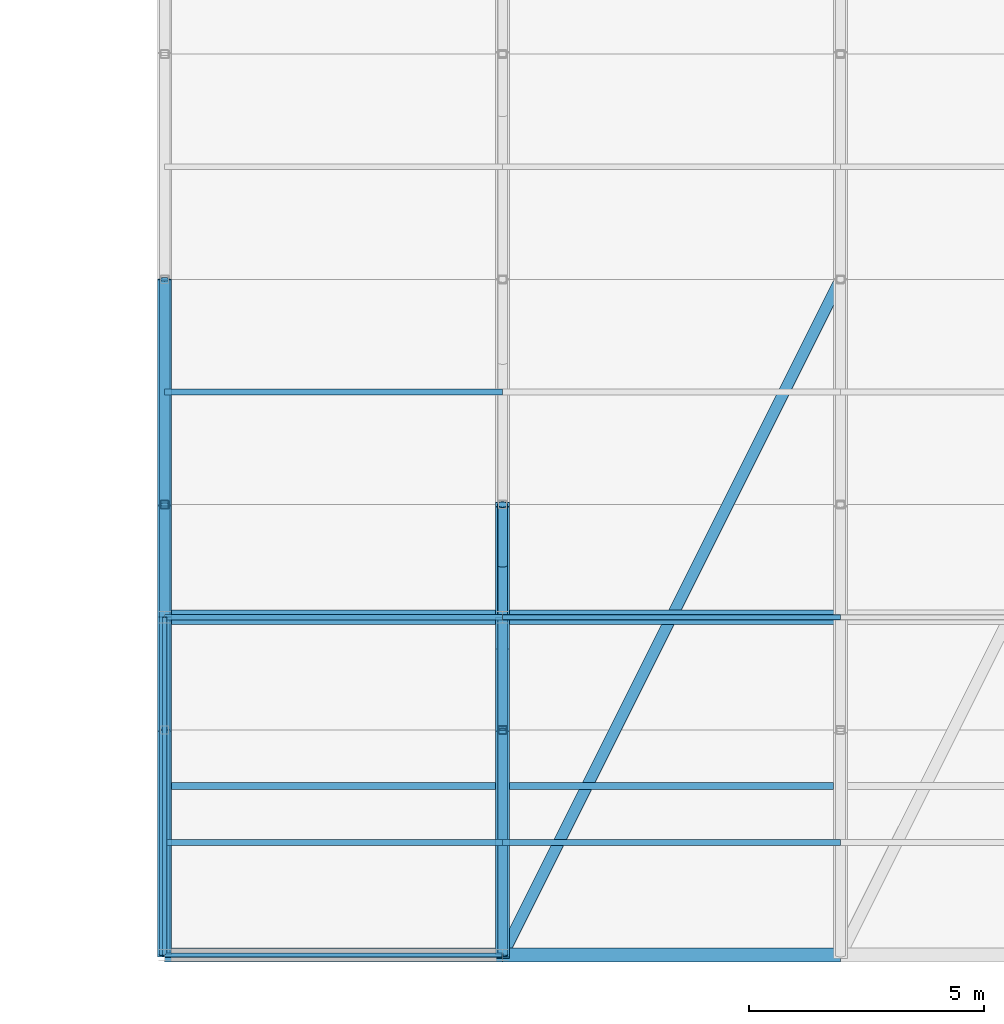
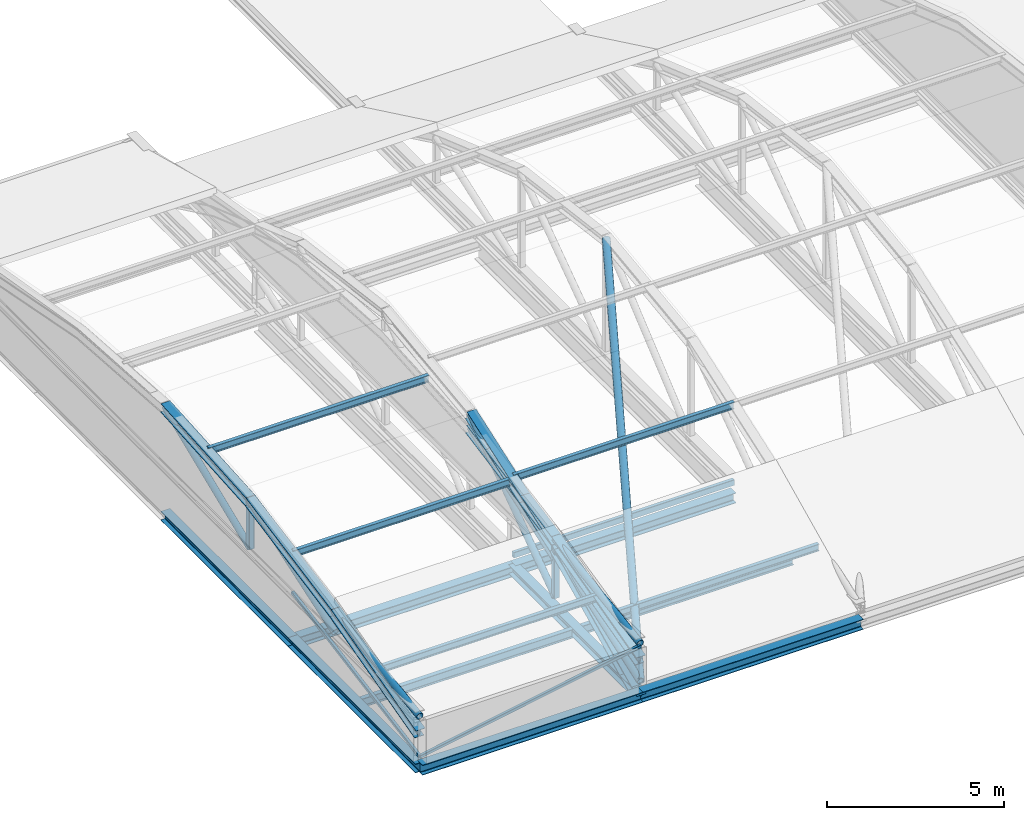
# One storey, part 13 of 103: 20 members, 14 beams.
"""IFC4 building model written with IfcOpenShell, lengths in metres."""

from ifc_helpers import new_model, si_unit, direction, frame, origin, origin_2d, place, context, subcontext, project, spatial, hollow_rectangle, hollow_circle, i_section, extrude, material, material_profile, profile_set, type_object, element, save


model = new_model("IFC4")

# Units and contexts
model_context = context("Model", 3, precision=1e-05, world=origin(), true_north=direction((0.0, 1.0)))
body_context = subcontext(model_context, "Body", "Model", "MODEL_VIEW")
ifc_project = project(units=[si_unit("LENGTHUNIT", "METRE"), si_unit("AREAUNIT", "SQUARE_METRE"), si_unit("VOLUMEUNIT", "CUBIC_METRE"), si_unit("PLANEANGLEUNIT", "RADIAN"), si_unit("MASSUNIT", "GRAM", prefix="KILO")], contexts=[model_context])

# Site, building, storey
site_placement = place(None, origin())
site = spatial("IfcSite", under=ifc_project, at=site_placement, CompositionType="ELEMENT")
building_placement = place(site_placement, origin())
building = spatial("IfcBuilding", under=site, at=building_placement, Name="Zlatovets Crest Museum", CompositionType="ELEMENT")
storey_placement = place(building_placement, frame((0.0, 0.0, 12.89990234375)))
storey = spatial("IfcBuildingStorey", under=building, at=storey_placement, Name="L03", CompositionType="ELEMENT", Elevation=12.89990234375)

# Beams
ifc_material = material(Name="Structural steel S355J2", Category="steel")
ifc_material_profile_1 = material_profile(ifc_material, i_section(OverallWidth=0.300048828125, OverallDepth=0.35009765625, WebThickness=0.010009765625, FlangeThickness=0.017578125, FilletRadius=0.027099609375, at=origin_2d()), Name="HEA 360")
ifc_profile_set_1 = profile_set([ifc_material_profile_1], Name="Structural steel S355J2")
beam_type_1 = type_object("IfcBeamType", Name="Beam_B-03", PredefinedType="BEAM", material=ifc_profile_set_1)
for number, where, z_axis, x_axis, name in (
    (1, (0.0, 0.0, -0.39501953125), (1.0, 0.0, 0.0), (0.0, 1.0, 0.0), "V3 L03 Primary Girder B-03"),
    (2, (7.199951171875, 0.0, -0.39501953125), (1.0, 0.0, 0.0), (0.0, 1.0, 0.0), "V3 L03 Primary Girder B-03"),
    (3, (0.0, 7.199951171875, -0.39501953125), (1.0, 0.0, 0.0), (0.0, 1.0, 0.0), "V3 L03 Primary Girder B-03"),
    (4, (7.199951171875, 7.199951171875, -0.39501953125), (1.0, 0.0, 0.0), (0.0, 1.0, 0.0), "V3 L03 Primary Girder B-03"),
):
    element("IfcBeam", number, at=place(storey_placement, frame(where, z_axis=z_axis, x_axis=x_axis)), inside=storey, type_object=beam_type_1, Name=name, PredefinedType="BEAM", context=body_context, shape_type="SweptSolid", body=[
        extrude(i_section(OverallWidth=0.300048828125, OverallDepth=0.35009765625, WebThickness=0.010009765625, FlangeThickness=0.017578125, FilletRadius=0.027099609375, at=origin_2d()), origin(), (0.0, 0.0, 1.0), 7.199951171875),
    ])
ifc_material_profile_2 = material_profile(ifc_material, i_section(OverallWidth=0.300048828125, OverallDepth=0.31005859375, WebThickness=0.009033203125, FlangeThickness=0.015380859375, FilletRadius=0.027099609375, at=origin_2d()), Name="HEA 320")
ifc_profile_set_2 = profile_set([ifc_material_profile_2], Name="Structural steel S355J2")
beam_type_2 = type_object("IfcBeamType", Name="Beam_B-04", PredefinedType="BEAM", material=ifc_profile_set_2)
for number, where, z_axis, x_axis, name in (
    (5, (0.0, 0.0, -0.375), (0.0, 1.0, 0.0), (-1.0, 0.0, 0.0), "V3 L03 Grid Beam B-04"),
    (6, (0.0, 7.199951171875, -0.375), (0.0, 1.0, 0.0), (-1.0, 0.0, 0.0), "V3 L03 Grid Beam B-04"),
    (7, (7.199951171875, 0.0, -0.375), (0.0, 1.0, 0.0), (-1.0, 0.0, 0.0), "V3 L03 Grid Beam B-04"),
):
    element("IfcBeam", number, at=place(storey_placement, frame(where, z_axis=z_axis, x_axis=x_axis)), inside=storey, type_object=beam_type_2, Name=name, PredefinedType="BEAM", context=body_context, shape_type="SweptSolid", body=[
        extrude(i_section(OverallWidth=0.300048828125, OverallDepth=0.31005859375, WebThickness=0.009033203125, FlangeThickness=0.015380859375, FilletRadius=0.027099609375, at=origin_2d()), origin(), (0.0, 0.0, 1.0), 7.199951171875),
    ])
ifc_material_profile_3 = material_profile(ifc_material, i_section(OverallWidth=0.14990234375, OverallDepth=0.300048828125, WebThickness=0.007080078125, FlangeThickness=0.0107421875, FilletRadius=0.014892578125, at=origin_2d()), Name="IPE 300")
ifc_profile_set_3 = profile_set([ifc_material_profile_3], Name="Structural steel S355J2")
beam_type_3 = type_object("IfcBeamType", Name="Beam_J-02", PredefinedType="JOIST", material=ifc_profile_set_3)
beam_1_placement = place(storey_placement, frame((0.14990234375, 3.60009765625, -0.369873046875), z_axis=(1.0, 0.0, 0.0), x_axis=(0.0, 1.0, 0.0)))
element("IfcBeam", 8, at=beam_1_placement, inside=storey, type_object=beam_type_3, Name="V3 L03 Composite Joist J-02", PredefinedType="JOIST", context=body_context, shape_type="SweptSolid", body=[
    extrude(i_section(OverallWidth=0.14990234375, OverallDepth=0.300048828125, WebThickness=0.007080078125, FlangeThickness=0.0107421875, FilletRadius=0.014892578125, at=origin_2d()), origin(), (0.0, 0.0, 1.0), 6.900146484375),
])
beam_2_placement = place(storey_placement, frame((7.35009765625, 3.60009765625, -0.369873046875), z_axis=(1.0, 0.0, 0.0), x_axis=(0.0, 1.0, 0.0)))
element("IfcBeam", 9, at=beam_2_placement, inside=storey, type_object=beam_type_3, Name="V3 L03 Composite Joist J-02", PredefinedType="JOIST", context=body_context, shape_type="SweptSolid", body=[
    extrude(i_section(OverallWidth=0.14990234375, OverallDepth=0.300048828125, WebThickness=0.007080078125, FlangeThickness=0.0107421875, FilletRadius=0.014892578125, at=origin_2d()), origin(), (0.0, 0.0, 1.0), 6.89990234375),
])
ifc_material_profile_4 = material_profile(ifc_material, i_section(OverallWidth=0.1201171875, OverallDepth=0.239990234375, WebThickness=0.006103515625, FlangeThickness=0.009765625, FilletRadius=0.014892578125, at=origin_2d()), Name="IPE 240")
ifc_profile_set_4 = profile_set([ifc_material_profile_4], Name="Structural steel S355J2")
beam_type_4 = type_object("IfcBeamType", Name="Beam_PR-01", PredefinedType="BEAM", material=ifc_profile_set_4)
for number, where, z_axis, x_axis, name in (
    (10, (7.199951171875, 2.39990234375, 0.75), (1.0, 0.0, 0.0), (0.0, 1.0, 0.0), "V3 Barrel Vault Longitudinal Purlin"),
    (11, (7.199951171875, 7.199951171875, 2.741943359375), (1.0, 0.0, 0.0), (0.0, 1.0, 0.0), "V3 Barrel Vault Longitudinal Purlin"),
    (12, (0.0, 2.39990234375, 1.53759765625), (1.0, 0.0, 0.0), (0.0, 1.0, 0.0), "V3 Barrel Vault Longitudinal Purlin"),
    (13, (0.0, 7.199951171875, 2.641845703125), (1.0, 0.0, 0.0), (0.0, 1.0, 0.0), "V3 Barrel Vault Longitudinal Purlin"),
    (14, (0.0, 12.0, 3.279296875), (1.0, 0.0, 0.0), (0.0, 1.0, 0.0), "V3 Barrel Vault Longitudinal Purlin"),
):
    element("IfcBeam", number, at=place(storey_placement, frame(where, z_axis=z_axis, x_axis=x_axis)), inside=storey, type_object=beam_type_4, Name=name, PredefinedType="BEAM", context=body_context, shape_type="SweptSolid", body=[
        extrude(i_section(OverallWidth=0.1201171875, OverallDepth=0.239990234375, WebThickness=0.006103515625, FlangeThickness=0.009765625, FilletRadius=0.014892578125, at=origin_2d()), origin(), (0.0, 0.0, 1.0), 7.199951171875),
    ])

# Members
ifc_material_profile_5 = material_profile(ifc_material, hollow_rectangle(XDim=0.10009765625, YDim=0.10009765625, WallThickness=0.00634765625, InnerFilletRadius=0.00634765625, OuterFilletRadius=0.0126953125, at=origin_2d()), Name="SHS 100x100x6.3")
ifc_profile_set_5 = profile_set([ifc_material_profile_5], Name="Structural steel S355J2")
member_type_1 = type_object("IfcMemberType", Name="Member_BR-06", PredefinedType="BRACE", material=ifc_profile_set_5)
for number, where, z_axis, x_axis, name in (
    (15, (0.0, 0.0, 0.0), (0.98408648342, 0.0, 0.177690160531), (0.0, 1.0, 0.0), "Auditorium Stage Fly-Loft Wind Brace"),
    (16, (0.0, 0.0, 0.0), (0.0, 0.98408648342, 0.177690160531), (-1.0, 0.0, 0.0), "Auditorium Stage Fly-Loft Wind Brace"),
):
    element("IfcMember", number, at=place(storey_placement, frame(where, z_axis=z_axis, x_axis=x_axis)), inside=storey, type_object=member_type_1, Name=name, PredefinedType="BRACE", context=body_context, shape_type="SweptSolid", body=[
        extrude(hollow_rectangle(XDim=0.10009765625, YDim=0.10009765625, WallThickness=0.00634765625, InnerFilletRadius=0.00634765625, OuterFilletRadius=0.0126953125, at=origin_2d()), origin(), (0.0, 0.0, 1.0), 7.31640625),
    ])
ifc_material_profile_6 = material_profile(ifc_material, i_section(OverallWidth=0.300048828125, OverallDepth=0.31005859375, WebThickness=0.009033203125, FlangeThickness=0.015380859375, FilletRadius=0.027099609375, at=origin_2d()), Name="HEA 320")
ifc_profile_set_6 = profile_set([ifc_material_profile_6], Name="Structural steel S355J2")
member_type_2 = type_object("IfcMemberType", Name="Member_TM-02", PredefinedType="RAFTER", material=ifc_profile_set_6)
member_1_placement = place(storey_placement, frame((7.199951171875, 0.0, -0.5), z_axis=(0.0, 0.901814166789, 0.432124066188), x_axis=(-1.0, 0.0, 0.0)))
element("IfcMember", 17, at=member_1_placement, inside=storey, type_object=member_type_2, Name="V3 Art Nouveau Curved Vault Rib", PredefinedType="RAFTER", context=body_context, shape_type="SweptSolid", body=[
    extrude(i_section(OverallWidth=0.300048828125, OverallDepth=0.31005859375, WebThickness=0.009033203125, FlangeThickness=0.015380859375, FilletRadius=0.027099609375, at=origin_2d()), origin(), (0.0, 0.0, 1.0), 5.32275390625),
])
member_2_placement = place(storey_placement, frame((7.199951171875, 4.800048828125, 1.800048828125), z_axis=(0.0, 0.943623917832, 0.331019488393), x_axis=(-1.0, 0.0, 0.0)))
element("IfcMember", 18, at=member_2_placement, inside=storey, type_object=member_type_2, Name="V3 Art Nouveau Curved Vault Rib", PredefinedType="RAFTER", context=body_context, shape_type="SweptSolid", body=[
    extrude(i_section(OverallWidth=0.300048828125, OverallDepth=0.31005859375, WebThickness=0.009033203125, FlangeThickness=0.015380859375, FilletRadius=0.027099609375, at=origin_2d()), origin(), (0.0, 0.0, 1.0), 5.0869140625),
])
member_3_placement = place(storey_placement, frame((0.0, 0.0, 0.800048828125), z_axis=(0.0, 0.966478456476, 0.25674772281), x_axis=(-1.0, 0.0, 0.0)))
element("IfcMember", 19, at=member_3_placement, inside=storey, type_object=member_type_2, Name="V3 Art Nouveau Curved Vault Rib", PredefinedType="RAFTER", context=body_context, shape_type="SweptSolid", body=[
    extrude(i_section(OverallWidth=0.300048828125, OverallDepth=0.31005859375, WebThickness=0.009033203125, FlangeThickness=0.015380859375, FilletRadius=0.027099609375, at=origin_2d()), origin(), (0.0, 0.0, 1.0), 4.966552734375),
])
member_4_placement = place(storey_placement, frame((0.0, 4.800048828125, 2.0751953125), z_axis=(0.0, 0.981615129824, 0.190870995439), x_axis=(-1.0, 0.0, 0.0)))
element("IfcMember", 20, at=member_4_placement, inside=storey, type_object=member_type_2, Name="V3 Art Nouveau Curved Vault Rib", PredefinedType="RAFTER", context=body_context, shape_type="SweptSolid", body=[
    extrude(i_section(OverallWidth=0.300048828125, OverallDepth=0.31005859375, WebThickness=0.009033203125, FlangeThickness=0.015380859375, FilletRadius=0.027099609375, at=origin_2d()), origin(), (0.0, 0.0, 1.0), 4.889892578125),
])
member_5_placement = place(storey_placement, frame((0.0, 9.60009765625, 3.008544921875), z_axis=(0.0, 0.997477722489, 0.070980230608), x_axis=(-1.0, 0.0, 0.0)))
element("IfcMember", 21, at=member_5_placement, inside=storey, type_object=member_type_2, Name="V3 Art Nouveau Curved Vault Rib", PredefinedType="RAFTER", context=body_context, shape_type="SweptSolid", body=[
    extrude(i_section(OverallWidth=0.300048828125, OverallDepth=0.31005859375, WebThickness=0.009033203125, FlangeThickness=0.015380859375, FilletRadius=0.027099609375, at=origin_2d()), origin(), (0.0, 0.0, 1.0), 4.81201171875),
])
member_6_placement = place(storey_placement, frame((7.199951171875, 0.0, 0.800048828125), z_axis=(0.0, 0.966478456476, 0.25674772281), x_axis=(-1.0, 0.0, 0.0)))
element("IfcMember", 22, at=member_6_placement, inside=storey, type_object=member_type_2, Name="V3 Art Nouveau Curved Vault Rib", PredefinedType="RAFTER", context=body_context, shape_type="SweptSolid", body=[
    extrude(i_section(OverallWidth=0.300048828125, OverallDepth=0.31005859375, WebThickness=0.009033203125, FlangeThickness=0.015380859375, FilletRadius=0.027099609375, at=origin_2d()), origin(), (0.0, 0.0, 1.0), 4.966552734375),
])
member_7_placement = place(storey_placement, frame((7.199951171875, 4.800048828125, 2.0751953125), z_axis=(0.0, 0.981615129824, 0.190870995439), x_axis=(-1.0, 0.0, 0.0)))
element("IfcMember", 23, at=member_7_placement, inside=storey, type_object=member_type_2, Name="V3 Art Nouveau Curved Vault Rib", PredefinedType="RAFTER", context=body_context, shape_type="SweptSolid", body=[
    extrude(i_section(OverallWidth=0.300048828125, OverallDepth=0.31005859375, WebThickness=0.009033203125, FlangeThickness=0.015380859375, FilletRadius=0.027099609375, at=origin_2d()), origin(), (0.0, 0.0, 1.0), 4.889892578125),
])
ifc_material_profile_7 = material_profile(ifc_material, hollow_rectangle(XDim=0.179931640625, YDim=0.179931640625, WallThickness=0.010009765625, InnerFilletRadius=0.010009765625, OuterFilletRadius=0.02001953125, at=origin_2d()), Name="SHS 180x180x10.0")
ifc_profile_set_7 = profile_set([ifc_material_profile_7], Name="Structural steel S355J2")
member_type_3 = type_object("IfcMemberType", Name="Member_TM-04", PredefinedType="STRUT", material=ifc_profile_set_7)
member_8_placement = place(storey_placement, frame((7.199951171875, 4.800048828125, 0.080078125), z_axis=(0.0, 0.0, 1.0), x_axis=(1.0, 0.0, 0.0)))
element("IfcMember", 24, at=member_8_placement, inside=storey, type_object=member_type_3, Name="V3 Barrel Vault Web Strut", PredefinedType="STRUT", context=body_context, shape_type="SweptSolid", body=[
    extrude(hollow_rectangle(XDim=0.179931640625, YDim=0.179931640625, WallThickness=0.010009765625, InnerFilletRadius=0.010009765625, OuterFilletRadius=0.02001953125, at=origin_2d()), origin(), (0.0, 0.0, 1.0), 1.719970703125),
])
member_9_placement = place(storey_placement, frame((0.0, 9.60009765625, 1.380126953125), z_axis=(0.0, 0.0, 1.0), x_axis=(1.0, 0.0, 0.0)))
element("IfcMember", 25, at=member_9_placement, inside=storey, type_object=member_type_3, Name="V3 Barrel Vault Web Strut", PredefinedType="STRUT", context=body_context, shape_type="SweptSolid", body=[
    extrude(hollow_rectangle(XDim=0.179931640625, YDim=0.179931640625, WallThickness=0.010009765625, InnerFilletRadius=0.010009765625, OuterFilletRadius=0.02001953125, at=origin_2d()), origin(), (0.0, 0.0, 1.0), 1.62841796875),
])
ifc_material_profile_8 = material_profile(ifc_material, hollow_circle(Radius=0.109619140625, WallThickness=0.010009765625, at=origin_2d()), Name="CHS 219.1x10.0")
ifc_profile_set_8 = profile_set([ifc_material_profile_8], Name="Structural steel S355J2")
member_type_4 = type_object("IfcMemberType", Name="Member_TM-05", PredefinedType="BRACE", material=ifc_profile_set_8)
member_10_placement = place(storey_placement, frame((7.199951171875, 0.0, 0.080078125), z_axis=(0.0, 0.941389329103, 0.337321999061), x_axis=(-1.0, 0.0, 0.0)))
element("IfcMember", 26, at=member_10_placement, inside=storey, type_object=member_type_4, Name="V3 Barrel Vault Web Diagonal", PredefinedType="BRACE", context=body_context, shape_type="SweptSolid", body=[
    extrude(hollow_circle(Radius=0.109619140625, WallThickness=0.010009765625, at=origin_2d()), origin(), (0.0, 0.0, 1.0), 5.098876953125),
])
member_11_placement = place(storey_placement, frame((7.199951171875, 4.800048828125, 0.080078125), z_axis=(0.0, 0.815721856917, 0.578444337986), x_axis=(-1.0, 0.0, 0.0)))
element("IfcMember", 27, at=member_11_placement, inside=storey, type_object=member_type_4, Name="V3 Barrel Vault Web Diagonal", PredefinedType="BRACE", context=body_context, shape_type="SweptSolid", body=[
    extrude(hollow_circle(Radius=0.109619140625, WallThickness=0.010009765625, at=origin_2d()), origin(), (0.0, 0.0, 1.0), 5.884521484375),
])
member_12_placement = place(storey_placement, frame((0.0, 0.0, 1.380126953125), z_axis=(0.0, 0.989677885156, 0.143309747166), x_axis=(-1.0, 0.0, 0.0)))
element("IfcMember", 28, at=member_12_placement, inside=storey, type_object=member_type_4, Name="V3 Barrel Vault Web Diagonal", PredefinedType="BRACE", context=body_context, shape_type="SweptSolid", body=[
    extrude(hollow_circle(Radius=0.109619140625, WallThickness=0.010009765625, at=origin_2d()), origin(), (0.0, 0.0, 1.0), 4.85009765625),
])
member_13_placement = place(storey_placement, frame((0.0, 4.800048828125, 1.380126953125), z_axis=(0.0, 0.946988905985, 0.321266263309), x_axis=(-1.0, 0.0, 0.0)))
element("IfcMember", 29, at=member_13_placement, inside=storey, type_object=member_type_4, Name="V3 Barrel Vault Web Diagonal", PredefinedType="BRACE", context=body_context, shape_type="SweptSolid", body=[
    extrude(hollow_circle(Radius=0.109619140625, WallThickness=0.010009765625, at=origin_2d()), origin(), (0.0, 0.0, 1.0), 5.06884765625),
])
member_14_placement = place(storey_placement, frame((0.0, 9.60009765625, 1.380126953125), z_axis=(0.0, 0.925113105648, 0.37969164036), x_axis=(-1.0, 0.0, 0.0)))
element("IfcMember", 30, at=member_14_placement, inside=storey, type_object=member_type_4, Name="V3 Barrel Vault Web Diagonal", PredefinedType="BRACE", context=body_context, shape_type="SweptSolid", body=[
    extrude(hollow_circle(Radius=0.109619140625, WallThickness=0.010009765625, at=origin_2d()), origin(), (0.0, 0.0, 1.0), 5.188232421875),
])
member_15_placement = place(storey_placement, frame((7.199951171875, 0.0, 1.380126953125), z_axis=(0.0, 0.989677885156, 0.143309747166), x_axis=(-1.0, 0.0, 0.0)))
element("IfcMember", 31, at=member_15_placement, inside=storey, type_object=member_type_4, Name="V3 Barrel Vault Web Diagonal", PredefinedType="BRACE", context=body_context, shape_type="SweptSolid", body=[
    extrude(hollow_circle(Radius=0.109619140625, WallThickness=0.010009765625, at=origin_2d()), origin(), (0.0, 0.0, 1.0), 4.85009765625),
])
member_16_placement = place(storey_placement, frame((7.199951171875, 4.800048828125, 1.380126953125), z_axis=(0.0, 0.946988905985, 0.321266263309), x_axis=(-1.0, 0.0, 0.0)))
element("IfcMember", 32, at=member_16_placement, inside=storey, type_object=member_type_4, Name="V3 Barrel Vault Web Diagonal", PredefinedType="BRACE", context=body_context, shape_type="SweptSolid", body=[
    extrude(hollow_circle(Radius=0.109619140625, WallThickness=0.010009765625, at=origin_2d()), origin(), (0.0, 0.0, 1.0), 5.06884765625),
])
ifc_material_profile_9 = material_profile(ifc_material, hollow_circle(Radius=0.122314453125, WallThickness=0.012451171875, at=origin_2d()), Name="CHS 244.5x12.5")
ifc_profile_set_9 = profile_set([ifc_material_profile_9], Name="Structural steel S355J2")
member_type_5 = type_object("IfcMemberType", Name="Member_TM-09", PredefinedType="BRACE", material=ifc_profile_set_9)
member_17_placement = place(storey_placement, frame((7.199951171875, 0.0, 0.080078125), z_axis=(0.433891815203, 0.867783630406, 0.24225908342), x_axis=(-0.894427191, 0.4472135955, 0.0)))
element("IfcMember", 33, at=member_17_placement, inside=storey, type_object=member_type_5, Name="Auditorium Vault Roof Plan Brace", PredefinedType="BRACE", context=body_context, shape_type="SweptSolid", body=[
    extrude(hollow_circle(Radius=0.122314453125, WallThickness=0.012451171875, at=origin_2d()), origin(), (0.0, 0.0, 1.0), 16.593994140625),
])
ifc_material_profile_10 = material_profile(ifc_material, hollow_rectangle(XDim=0.1201171875, YDim=0.199951171875, WallThickness=0.008056640625, InnerFilletRadius=0.008056640625, OuterFilletRadius=0.01611328125, at=origin_2d()), Name="RHS 120x200x8.0")
ifc_profile_set_10 = profile_set([ifc_material_profile_10], Name="Structural steel S355J2")
member_type_6 = type_object("IfcMemberType", Name="Member_TM-12", PredefinedType="CHORD", material=ifc_profile_set_10)
member_18_placement = place(storey_placement, frame((7.199951171875, 7.199951171875, 0.080078125), z_axis=(1.0, 0.0, 0.0), x_axis=(0.0, 1.0, 0.0)))
element("IfcMember", 34, at=member_18_placement, inside=storey, type_object=member_type_6, Name="Auditorium Vault Longitudinal Tie", PredefinedType="CHORD", context=body_context, shape_type="SweptSolid", body=[
    extrude(hollow_rectangle(XDim=0.1201171875, YDim=0.199951171875, WallThickness=0.008056640625, InnerFilletRadius=0.008056640625, OuterFilletRadius=0.01611328125, at=origin_2d()), origin(), (0.0, 0.0, 1.0), 7.199951171875),
])

save(model, "model.ifc")
